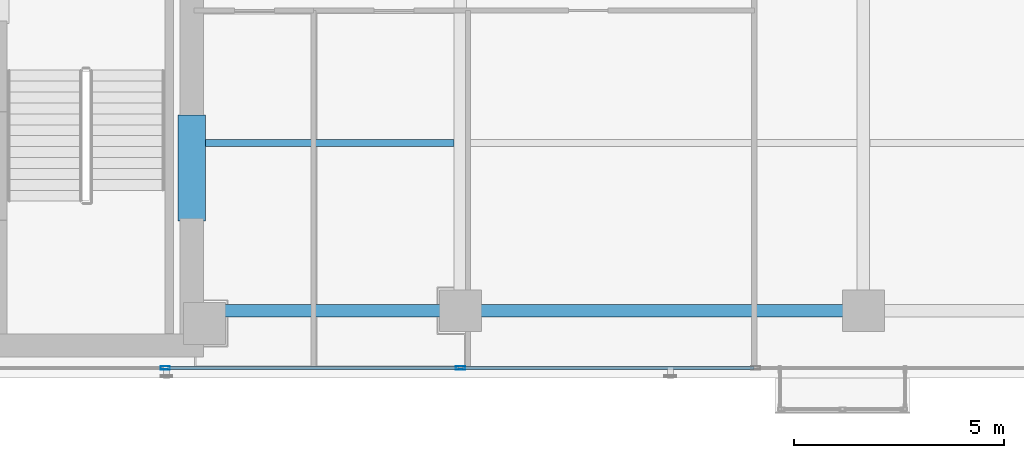
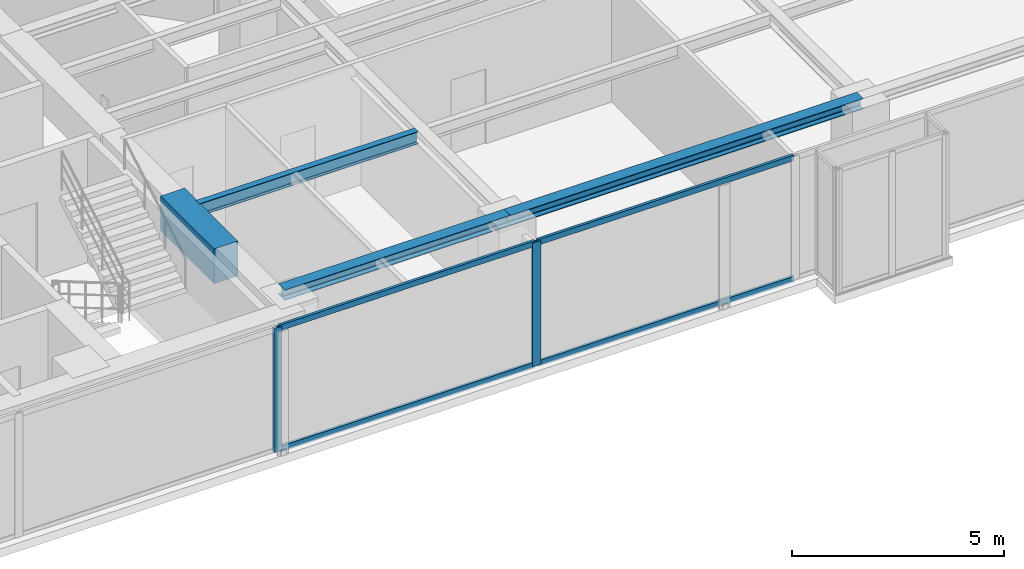
# One storey, part 4 of 24: 6 members, 4 beams, 1 element without a shape of its own.
"""IFC4 building model written with IfcOpenShell, lengths in metres."""

from ifc_helpers import new_model, si_unit, direction, frame, origin, origin_with_axes, origin_2d, place, context, subcontext, project, spatial, rectangle, hollow_rectangle, i_section, extrude, source, transform, mapped, material, layer, layer_set, material_profile, profile_set, type_object, element, aggregate, save


model = new_model("IFC4")

# Units and contexts
model_context = context("Model", 3, precision=1e-05, world=origin(), true_north=direction((0.0, 1.0)))
body_context = subcontext(model_context, "Body", "Model", "MODEL_VIEW")
ifc_project = project(units=[si_unit("LENGTHUNIT", "METRE"), si_unit("AREAUNIT", "SQUARE_METRE"), si_unit("VOLUMEUNIT", "CUBIC_METRE"), si_unit("PLANEANGLEUNIT", "RADIAN"), si_unit("MASSUNIT", "GRAM", prefix="KILO")], contexts=[model_context])

# Site, building, storey
site_placement = place(None, origin())
site = spatial("IfcSite", under=ifc_project, at=site_placement, CompositionType="ELEMENT")
building_placement = place(site_placement, origin())
building = spatial("IfcBuilding", under=site, at=building_placement, Name="Kolvaren Waterfront Exchange", CompositionType="ELEMENT")
storey_placement = place(building_placement, frame((0.0, 0.0, 238.699951171875)))
storey = spatial("IfcBuildingStorey", under=building, at=storey_placement, Name="L61", CompositionType="ELEMENT", Elevation=238.699951171875)

# Beams
ifc_material_1 = material(Name="Steel S355", Category="steel")
ifc_material_profile_1 = material_profile(ifc_material_1, i_section(OverallWidth=0.300048828125, OverallDepth=0.300048828125, WebThickness=0.010986328125, FlangeThickness=0.01904296875, FilletRadius=0.027099609375, at=origin_2d()), Name="HEB300")
ifc_profile_set_1 = profile_set([ifc_material_profile_1], Name="Steel S355")
beam_type_1 = type_object("IfcBeamType", Name="STR-BM-HEB300", PredefinedType="SPANDREL", material=ifc_profile_set_1)
beam_1_placement = place(storey_placement, frame((21.074951171875, 5.199951171875, 3.41015625), z_axis=(1.0, 0.0, 0.0), x_axis=(0.0, 1.0, 0.0)))
element("IfcBeam", 1, at=beam_1_placement, inside=storey, type_object=beam_type_1, Name="L61 east-arm spandrel S1", PredefinedType="SPANDREL", context=body_context, shape_type="SweptSolid", body=[
    extrude(i_section(OverallWidth=0.300048828125, OverallDepth=0.300048828125, WebThickness=0.010986328125, FlangeThickness=0.01904296875, FilletRadius=0.027099609375, at=origin_2d()), origin(), (0.0, 0.0, 1.0), 6.125),
])
beam_2_placement = place(storey_placement, frame((27.199951171875, 5.199951171875, 3.41015625), z_axis=(1.0, 0.0, 0.0), x_axis=(0.0, 1.0, 0.0)))
element("IfcBeam", 2, at=beam_2_placement, inside=storey, type_object=beam_type_1, Name="L61 east-arm spandrel S2", PredefinedType="SPANDREL", context=body_context, shape_type="SweptSolid", body=[
    extrude(i_section(OverallWidth=0.300048828125, OverallDepth=0.300048828125, WebThickness=0.010986328125, FlangeThickness=0.01904296875, FilletRadius=0.027099609375, at=origin_2d()), origin(), (0.0, 0.0, 1.0), 9.60009765625),
])
ifc_material_profile_2 = material_profile(ifc_material_1, i_section(OverallWidth=0.169921875, OverallDepth=0.360107421875, WebThickness=0.008056640625, FlangeThickness=0.0126953125, FilletRadius=0.01806640625, at=origin_2d()), Name="IPE360")
ifc_profile_set_2 = profile_set([ifc_material_profile_2], Name="Steel S355")
beam_type_2 = type_object("IfcBeamType", Name="STR-BM-IPE360", PredefinedType="JOIST", material=ifc_profile_set_2)
beam_3_placement = place(storey_placement, frame((21.10009765625, 9.199951171875, 3.380126953125), z_axis=(1.0, 0.0, 0.0), x_axis=(0.0, 1.0, 0.0)))
element("IfcBeam", 3, at=beam_3_placement, inside=storey, type_object=beam_type_2, Name="L61 east-arm composite joist 1B", PredefinedType="JOIST", context=body_context, shape_type="SweptSolid", body=[
    extrude(i_section(OverallWidth=0.169921875, OverallDepth=0.360107421875, WebThickness=0.008056640625, FlangeThickness=0.0126953125, FilletRadius=0.01806640625, at=origin_2d()), origin(), (0.0, 0.0, 1.0), 5.947998046875),
])
ifc_material_2 = material(Name="Concrete C60/75", Category="concrete")
ifc_material_profile_3 = material_profile(ifc_material_2, rectangle(XDim=0.64990234375, YDim=1.0, at=origin_2d()), Name="RC-CB-1000x650")
ifc_profile_set_3 = profile_set([ifc_material_profile_3], Name="Concrete C60/75")
beam_type_3 = type_object("IfcBeamType", Name="STR-CB-1000", PredefinedType="SPANDREL", material=ifc_profile_set_3)
beam_4_placement = place(storey_placement, frame((20.800048828125, 7.340087890625, 3.06005859375), z_axis=(0.0, 1.0, 0.0), x_axis=(-1.0, 0.0, 0.0)))
element("IfcBeam", 4, at=beam_4_placement, inside=storey, type_object=beam_type_3, Name="L61 core coupling beam 1", PredefinedType="SPANDREL", context=body_context, shape_type="SweptSolid", body=[
    extrude(rectangle(XDim=0.64990234375, YDim=1.0, at=origin_2d()), origin(), (0.0, 0.0, 1.0), 2.52001953125),
])

# Curtain wall, members
ifc_material_3 = material(Name="Anodised bronze aluminium 6063-T6", Category="aluminium")
ifc_layer = layer(ifc_material_3, 0.219970703125, Name="Anodised bronze aluminium 6063-T6")
ifc_layer_set = layer_set([ifc_layer], Name="Anodised bronze aluminium 6063-T6")
curtain_wall_type = type_object("IfcCurtainWallType", Name="ARC-CW-SYS1", PredefinedType="USERDEFINED", material=ifc_layer_set)
curtain_wall_placement = place(storey_placement, origin())
curtain_wall = element("IfcCurtainWall", 5, at=curtain_wall_placement, inside=storey, type_object=curtain_wall_type, Name="L61 stick curtain wall CW1 (CW-L61-S)", ObjectType="STICK CURTAIN WALL", PredefinedType="USERDEFINED")
ifc_material_4 = material(Name="Anodised aluminium 6063-T6", Category="aluminium")
ifc_material_profile_4 = material_profile(ifc_material_4, hollow_rectangle(XDim=0.080078125, YDim=0.219970703125, WallThickness=0.0048828125, at=origin_2d()), Name="ALU-MUL-220x80x5")
ifc_profile_set_4 = profile_set([ifc_material_profile_4], Name="Anodised aluminium 6063-T6")
member_type_1 = type_object("IfcMemberType", Name="ARC-CWM-220", PredefinedType="MULLION", material=ifc_profile_set_4)
shared_shape_1 = source(origin_with_axes(), body_context, "Body", "SweptSolid", [
    extrude(hollow_rectangle(XDim=0.080078125, YDim=0.219970703125, WallThickness=0.0048828125, at=origin_2d()), origin(), (0.0, 0.0, 1.0), 3.56005859375),
])
member_1_placement = place(storey_placement, frame((20.166748046875, 3.840087890625, 0.0), z_axis=(0.0, 0.0, 1.0), x_axis=(0.0, 1.0, 0.0)))
member_1 = element("IfcMember", 6, at=member_1_placement, type_object=member_type_1, Name="CW1 mullion 3", PredefinedType="MULLION", context=body_context, shape_type="MappedRepresentation", body=[
    mapped(shared_shape_1, transform((0.0, 0.0, 0.0), x_axis=(1.0, 0.0, 0.0), y_axis=(0.0, 1.0, 0.0), z_axis=(0.0, 0.0, 1.0), scale=1.0)),
])
member_2_placement = place(storey_placement, frame((27.199951171875, 3.840087890625, 0.0), z_axis=(0.0, 0.0, 1.0), x_axis=(0.0, 1.0, 0.0)))
member_2 = element("IfcMember", 7, at=member_2_placement, type_object=member_type_1, Name="CW1 mullion 4", PredefinedType="MULLION", context=body_context, shape_type="MappedRepresentation", body=[
    mapped(shared_shape_1, transform((0.0, 0.0, 0.0), x_axis=(1.0, 0.0, 0.0), y_axis=(0.0, 1.0, 0.0), z_axis=(0.0, 0.0, 1.0), scale=1.0)),
])
ifc_material_profile_5 = material_profile(ifc_material_4, hollow_rectangle(XDim=0.074951171875, YDim=0.159912109375, WallThickness=0.00439453125, at=origin_2d()), Name="ALU-TRN-160x75x4.5")
ifc_profile_set_5 = profile_set([ifc_material_profile_5], Name="Anodised aluminium 6063-T6")
member_type_2 = type_object("IfcMemberType", Name="ARC-CWT-160", PredefinedType="USERDEFINED", material=ifc_profile_set_5)
shared_shape_2 = source(origin_with_axes(), body_context, "Body", "SweptSolid", [
    extrude(hollow_rectangle(XDim=0.074951171875, YDim=0.159912109375, WallThickness=0.00439453125, at=origin_2d()), origin(), (0.0, 0.0, 1.0), 6.953369140625),
])
member_3_placement = place(storey_placement, frame((27.239990234375, 3.840087890625, 0.03759765625), z_axis=(1.0, 0.0, 0.0), x_axis=(0.0, 1.0, 0.0)))
member_3 = element("IfcMember", 8, at=member_3_placement, type_object=member_type_2, Name="CW1 transom 4.1", ObjectType="TRANSOM", PredefinedType="USERDEFINED", context=body_context, shape_type="MappedRepresentation", body=[
    mapped(shared_shape_2, transform((0.0, 0.0, 0.0), x_axis=(1.0, 0.0, 0.0), y_axis=(0.0, 1.0, 0.0), z_axis=(0.0, 0.0, 1.0), scale=1.0)),
])
member_4_placement = place(storey_placement, frame((27.239990234375, 3.840087890625, 3.5224609375), z_axis=(1.0, 0.0, 0.0), x_axis=(0.0, 1.0, 0.0)))
member_4 = element("IfcMember", 9, at=member_4_placement, type_object=member_type_2, Name="CW1 transom 4.2", ObjectType="TRANSOM", PredefinedType="USERDEFINED", context=body_context, shape_type="MappedRepresentation", body=[
    mapped(shared_shape_2, transform((0.0, 0.0, 0.0), x_axis=(1.0, 0.0, 0.0), y_axis=(0.0, 1.0, 0.0), z_axis=(0.0, 0.0, 1.0), scale=1.0)),
])
shared_shape_3 = source(origin_with_axes(), body_context, "Body", "SweptSolid", [
    extrude(hollow_rectangle(XDim=0.074951171875, YDim=0.159912109375, WallThickness=0.00439453125, at=origin_2d()), origin(), (0.0, 0.0, 1.0), 6.953125),
])
member_5_placement = place(storey_placement, frame((20.206787109375, 3.840087890625, 0.03759765625), z_axis=(1.0, 0.0, 0.0), x_axis=(0.0, 1.0, 0.0)))
member_5 = element("IfcMember", 10, at=member_5_placement, type_object=member_type_2, Name="CW1 transom 3.1", ObjectType="TRANSOM", PredefinedType="USERDEFINED", context=body_context, shape_type="MappedRepresentation", body=[
    mapped(shared_shape_3, transform((0.0, 0.0, 0.0), x_axis=(1.0, 0.0, 0.0), y_axis=(0.0, 1.0, 0.0), z_axis=(0.0, 0.0, 1.0), scale=1.0)),
])
member_6_placement = place(storey_placement, frame((20.206787109375, 3.840087890625, 3.5224609375), z_axis=(1.0, 0.0, 0.0), x_axis=(0.0, 1.0, 0.0)))
member_6 = element("IfcMember", 11, at=member_6_placement, type_object=member_type_2, Name="CW1 transom 3.2", ObjectType="TRANSOM", PredefinedType="USERDEFINED", context=body_context, shape_type="MappedRepresentation", body=[
    mapped(shared_shape_3, transform((0.0, 0.0, 0.0), x_axis=(1.0, 0.0, 0.0), y_axis=(0.0, 1.0, 0.0), z_axis=(0.0, 0.0, 1.0), scale=1.0)),
])
aggregate(curtain_wall, [member_1, member_2, member_5, member_6, member_3, member_4])

save(model, "model.ifc")
